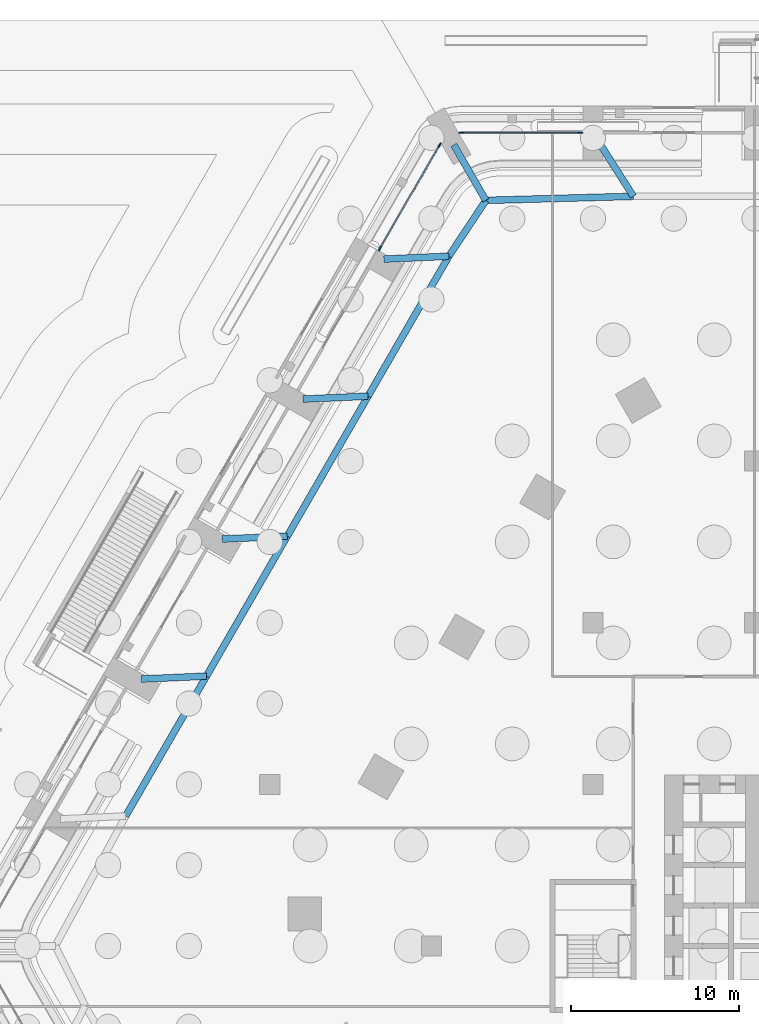
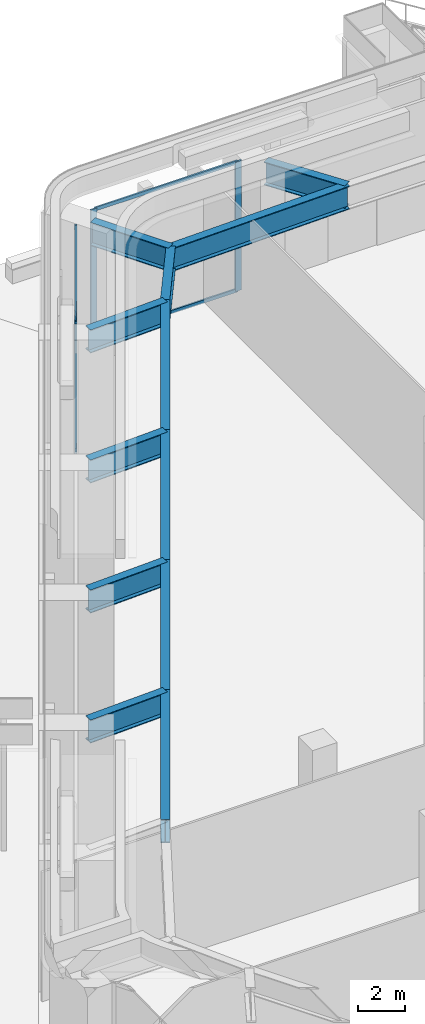
# One storey, part 7 of 68: 12 beams, 8 members, 2 elements without a shape of their own.
"""IFC4 building model written with IfcOpenShell, lengths in metres."""

from ifc_helpers import new_model, si_unit, direction, frame, origin, origin_2d, place, context, subcontext, project, spatial, rectangle, i_section, extrude, material, material_profile, profile_set, type_object, element, aggregate, save


model = new_model("IFC4")

# Units and contexts
model_context = context("Model", 3, precision=1e-05, world=origin(), true_north=direction((0.0, 1.0)))
body_context = subcontext(model_context, "Body", "Model", "MODEL_VIEW")
ifc_project = project(units=[si_unit("LENGTHUNIT", "METRE"), si_unit("AREAUNIT", "SQUARE_METRE"), si_unit("VOLUMEUNIT", "CUBIC_METRE"), si_unit("PLANEANGLEUNIT", "RADIAN"), si_unit("MASSUNIT", "GRAM", prefix="KILO")], contexts=[model_context])

# Site, building, storey
site_placement = place(None, origin())
site = spatial("IfcSite", under=ifc_project, at=site_placement, CompositionType="ELEMENT")
building_placement = place(site_placement, origin())
building = spatial("IfcBuilding", under=site, at=building_placement, Name="Kolab Exchange Tower", CompositionType="ELEMENT")
storey_placement = place(building_placement, origin())
storey = spatial("IfcBuildingStorey", under=building, at=storey_placement, Name="L00", CompositionType="ELEMENT", Elevation=0.0)

# Curtain wall, members
ifc_material_1 = material(Name="Aluminium EN AW-6063 T6", Category="aluminium")
curtain_wall_type = type_object("IfcCurtainWallType", Name="PODIUM STRUCTURAL GLAZING CURTAIN WALL", PredefinedType="NOTDEFINED", material=ifc_material_1)
curtain_wall_1_placement = place(storey_placement, origin())
curtain_wall_1 = element("IfcCurtainWall", 1, at=curtain_wall_1_placement, inside=storey, type_object=curtain_wall_type, Name="cw/L00/F1-1", PredefinedType="NOTDEFINED")
ifc_material_profile_1 = material_profile(ifc_material_1, rectangle(XDim=0.080078125, YDim=0.300048828125, at=origin_2d()), Name="RECT 80X300")
ifc_profile_set_1 = profile_set([ifc_material_profile_1], Name="Aluminium EN AW-6063 T6")
member_type_1 = type_object("IfcMemberType", Name="PODIUM STRUCTURAL GLAZING MULLION 80 X 300", PredefinedType="MULLION", material=ifc_profile_set_1)
member_1_placement = place(storey_placement, frame((-27.02783203125, 48.302978515625, 0.0), z_axis=(0.0, 0.0, 1.0), x_axis=(0.0, 1.0, 0.0)))
member_1 = element("IfcMember", 2, at=member_1_placement, type_object=member_type_1, Name="CW5 mullion 1", PredefinedType="MULLION", context=body_context, shape_type="SweptSolid", body=[
    extrude(rectangle(XDim=0.080078125, YDim=0.300048828125, at=origin_2d()), origin(), (0.0, 0.0, 1.0), 6.699951171875),
])
member_2_placement = place(storey_placement, frame((-19.949951171875, 48.302978515625, 0.0), z_axis=(0.0, 0.0, 1.0), x_axis=(0.0, 1.0, 0.0)))
member_2 = element("IfcMember", 3, at=member_2_placement, type_object=member_type_1, Name="CW5 mullion 2", PredefinedType="MULLION", context=body_context, shape_type="SweptSolid", body=[
    extrude(rectangle(XDim=0.080078125, YDim=0.300048828125, at=origin_2d()), origin(), (0.0, 0.0, 1.0), 6.699951171875),
])

curtain_wall_2_placement = place(storey_placement, origin())
curtain_wall_2 = element("IfcCurtainWall", 4, at=curtain_wall_2_placement, inside=storey, type_object=curtain_wall_type, Name="cw/L00/F6-2", PredefinedType="NOTDEFINED")
member_3_placement = place(storey_placement, frame((-31.856689453125, 41.4287109375, 0.0), z_axis=(0.0, 0.0, 1.0), x_axis=(-0.866025384961, 0.500000032603, 0.0)))
member_3 = element("IfcMember", 5, at=member_3_placement, type_object=member_type_1, Name="CW5 mullion 1", PredefinedType="MULLION", context=body_context, shape_type="SweptSolid", body=[
    extrude(rectangle(XDim=0.080078125, YDim=0.300048828125, at=origin_2d()), origin(), (0.0, 0.0, 1.0), 6.699951171875),
])
member_4_placement = place(storey_placement, frame((-28.317626953125, 47.558349609375, 0.0), z_axis=(0.0, 0.0, 1.0), x_axis=(-0.866025384961, 0.500000032603, 0.0)))
member_4 = element("IfcMember", 6, at=member_4_placement, type_object=member_type_1, Name="CW5 mullion 2", PredefinedType="MULLION", context=body_context, shape_type="SweptSolid", body=[
    extrude(rectangle(XDim=0.080078125, YDim=0.300048828125, at=origin_2d()), origin(), (0.0, 0.0, 1.0), 6.699951171875),
])

# Member
ifc_material_profile_2 = material_profile(ifc_material_1, rectangle(XDim=0.080078125, YDim=0.179931640625, at=origin_2d()), Name="RECT 80X180")
ifc_profile_set_2 = profile_set([ifc_material_profile_2], Name="Aluminium EN AW-6063 T6")
member_type_2 = type_object("IfcMemberType", Name="PODIUM STRUCTURAL GLAZING TRANSOM 80 X 180", PredefinedType="USERDEFINED", material=ifc_profile_set_2)
member_5_placement = place(storey_placement, frame((-26.988037109375, 48.302978515625, 0.0400390625), z_axis=(1.0, 0.0, 0.0), x_axis=(0.0, 1.0, 0.0)))
member_5 = element("IfcMember", 7, at=member_5_placement, type_object=member_type_2, Name="CW5 transom 1.1", ObjectType="TRANSOM", PredefinedType="USERDEFINED", context=body_context, shape_type="SweptSolid", body=[
    extrude(rectangle(XDim=0.080078125, YDim=0.179931640625, at=origin_2d()), origin(), (0.0, 0.0, 1.0), 6.998046875),
])

member_6_placement = place(storey_placement, frame((-26.988037109375, 48.302978515625, 6.659912109375), z_axis=(1.0, 0.0, 0.0), x_axis=(0.0, 1.0, 0.0)))
member_6 = element("IfcMember", 8, at=member_6_placement, type_object=member_type_2, Name="CW5 transom 1.2", ObjectType="TRANSOM", PredefinedType="USERDEFINED", context=body_context, shape_type="SweptSolid", body=[
    extrude(rectangle(XDim=0.080078125, YDim=0.179931640625, at=origin_2d()), origin(), (0.0, 0.0, 1.0), 6.998046875),
])

aggregate(curtain_wall_1, [member_1, member_2, member_5, member_6])

member_7_placement = place(storey_placement, frame((-31.836669921875, 41.46337890625, 0.0400390625), z_axis=(0.500011362933, 0.866018843293, 0.0), x_axis=(-0.866018843293, 0.500011362933, 0.0)))
member_7 = element("IfcMember", 9, at=member_7_placement, type_object=member_type_2, Name="CW5 transom 1.1", ObjectType="TRANSOM", PredefinedType="USERDEFINED", context=body_context, shape_type="SweptSolid", body=[
    extrude(rectangle(XDim=0.080078125, YDim=0.179931640625, at=origin_2d()), origin(), (0.0, 0.0, 1.0), 6.997802734375),
])

member_8_placement = place(storey_placement, frame((-31.836669921875, 41.46337890625, 6.659912109375), z_axis=(0.500011362933, 0.866018843293, 0.0), x_axis=(-0.866018843293, 0.500011362933, 0.0)))
member_8 = element("IfcMember", 10, at=member_8_placement, type_object=member_type_2, Name="CW5 transom 1.2", ObjectType="TRANSOM", PredefinedType="USERDEFINED", context=body_context, shape_type="SweptSolid", body=[
    extrude(rectangle(XDim=0.080078125, YDim=0.179931640625, at=origin_2d()), origin(), (0.0, 0.0, 1.0), 6.997802734375),
])

aggregate(curtain_wall_2, [member_3, member_4, member_7, member_8])

# Beams
ifc_material_2 = material(Name="Steel S355", Category="steel")
ifc_material_profile_3 = material_profile(ifc_material_2, i_section(OverallWidth=0.39990234375, OverallDepth=1.199951171875, WebThickness=0.02490234375, FlangeThickness=0.0400390625, at=origin_2d()), Name="PG1200X400")
ifc_profile_set_3 = profile_set([ifc_material_profile_3], Name="Steel S355")
beam_type = type_object("IfcBeamType", Name="TRANSFER GIRDER PG1200X400", PredefinedType="BEAM", material=ifc_profile_set_3)
beam_1_placement = place(storey_placement, frame((-25.56787109375, 44.284912109375, 6.10009765625), z_axis=(-0.500005339912, 0.866022320763, 0.0), x_axis=(-0.866022320763, -0.500005339912, 0.0)))
element("IfcBeam", 11, at=beam_1_placement, inside=storey, type_object=beam_type, Name="beam/L00/tg/P1-F1-01", PredefinedType="BEAM", context=body_context, shape_type="SweptSolid", body=[
    extrude(i_section(OverallWidth=0.39990234375, OverallDepth=1.199951171875, WebThickness=0.02490234375, FlangeThickness=0.0400390625, at=origin_2d()), origin(), (0.0, 0.0, 1.0), 3.81005859375),
])
beam_2_placement = place(storey_placement, frame((-16.800048828125, 44.526123046875, 6.10009765625), z_axis=(-0.538324533078, 0.842737620548, 0.0), x_axis=(-0.842737620548, -0.538324533078, 0.0)))
element("IfcBeam", 12, at=beam_2_placement, inside=storey, type_object=beam_type, Name="beam/L00/tg/P1-F1-03", PredefinedType="BEAM", context=body_context, shape_type="SweptSolid", body=[
    extrude(i_section(OverallWidth=0.39990234375, OverallDepth=1.199951171875, WebThickness=0.02490234375, FlangeThickness=0.0400390625, at=origin_2d()), origin(), (0.0, 0.0, 1.0), 3.8681640625),
])
beam_3_placement = place(storey_placement, frame((-42.160888671875, 16.027587890625, 6.10009765625), z_axis=(-0.998995304141, -0.044814978577, 0.0), x_axis=(0.044814978577, -0.998995304141, 0.0)))
element("IfcBeam", 13, at=beam_3_placement, inside=storey, type_object=beam_type, Name="beam/L00/tg/P1-F6-05", PredefinedType="BEAM", context=body_context, shape_type="SweptSolid", body=[
    extrude(i_section(OverallWidth=0.39990234375, OverallDepth=1.199951171875, WebThickness=0.02490234375, FlangeThickness=0.0400390625, at=origin_2d()), origin(), (0.0, 0.0, 1.0), 3.867919921875),
])
for number, where, z_axis, x_axis, name in (
    (14, (-37.36083984375, 24.341552734375, 6.10009765625), (-0.99899260341, -0.044875141586, 0.0), (0.044875141586, -0.99899260341, 0.0), "beam/L00/tg/P1-F6-07"),
    (15, (-32.560791015625, 32.655517578125, 6.10009765625), (-0.998989771967, -0.044938129747, 0.0), (0.044938129747, -0.998989771967, 0.0), "beam/L00/tg/P1-F6-09"),
    (16, (-27.7607421875, 40.96923828125, 6.10009765625), (-0.99899260341, -0.044875141586, 0.0), (0.044875141586, -0.99899260341, 0.0), "beam/L00/tg/P1-F6-11"),
):
    element("IfcBeam", number, at=place(storey_placement, frame(where, z_axis=z_axis, x_axis=x_axis)), inside=storey, type_object=beam_type, Name=name, PredefinedType="BEAM", context=body_context, shape_type="SweptSolid", body=[
        extrude(i_section(OverallWidth=0.39990234375, OverallDepth=1.199951171875, WebThickness=0.02490234375, FlangeThickness=0.0400390625, at=origin_2d()), origin(), (0.0, 0.0, 1.0), 3.8681640625),
    ])
beam_4_placement = place(storey_placement, frame((-25.56787109375, 44.284912109375, 6.10009765625), z_axis=(0.999621789061, 0.027500524256, 0.0), x_axis=(-0.027500524256, 0.999621789061, 0.0)))
element("IfcBeam", 17, at=beam_4_placement, inside=storey, type_object=beam_type, Name="beam/L00/rg/P1-F1-01", PredefinedType="BEAM", context=body_context, shape_type="SweptSolid", body=[
    extrude(i_section(OverallWidth=0.39990234375, OverallDepth=1.199951171875, WebThickness=0.02490234375, FlangeThickness=0.0400390625, at=origin_2d()), origin(), (0.0, 0.0, 1.0), 8.771240234375),
])
beam_5_placement = place(storey_placement, frame((-46.960693359375, 7.7138671875, 6.10009765625), z_axis=(0.499990296761, 0.86603100588, 0.0), x_axis=(-0.86603100588, 0.499990296761, 0.0)))
element("IfcBeam", 18, at=beam_5_placement, inside=storey, type_object=beam_type, Name="beam/L00/rg/P1-F6-03", PredefinedType="BEAM", context=body_context, shape_type="SweptSolid", body=[
    extrude(i_section(OverallWidth=0.39990234375, OverallDepth=1.199951171875, WebThickness=0.02490234375, FlangeThickness=0.0400390625, at=origin_2d()), origin(), (0.0, 0.0, 1.0), 9.599853515625),
])
for number, where, z_axis, x_axis, name in (
    (19, (-42.160888671875, 16.027587890625, 6.10009765625), (0.499998358424, 0.866026351547, 0.0), (-0.866026351547, 0.499998358424, 0.0), "beam/L00/rg/P1-F6-05"),
    (20, (-37.36083984375, 24.341552734375, 6.10009765625), (0.499998358424, 0.866026351547, 0.0), (-0.866026351547, 0.499998358424, 0.0), "beam/L00/rg/P1-F6-07"),
):
    element("IfcBeam", number, at=place(storey_placement, frame(where, z_axis=z_axis, x_axis=x_axis)), inside=storey, type_object=beam_type, Name=name, PredefinedType="BEAM", context=body_context, shape_type="SweptSolid", body=[
        extrude(i_section(OverallWidth=0.39990234375, OverallDepth=1.199951171875, WebThickness=0.02490234375, FlangeThickness=0.0400390625, at=origin_2d()), origin(), (0.0, 0.0, 1.0), 9.60009765625),
    ])
beam_6_placement = place(storey_placement, frame((-32.560791015625, 32.655517578125, 6.10009765625), z_axis=(0.500009370536, 0.866019993635, 0.0), x_axis=(-0.866019993635, 0.500009370536, 0.0)))
element("IfcBeam", 21, at=beam_6_placement, inside=storey, type_object=beam_type, Name="beam/L00/rg/P1-F6-09", PredefinedType="BEAM", context=body_context, shape_type="SweptSolid", body=[
    extrude(i_section(OverallWidth=0.39990234375, OverallDepth=1.199951171875, WebThickness=0.02490234375, FlangeThickness=0.0400390625, at=origin_2d()), origin(), (0.0, 0.0, 1.0), 9.599853515625),
])
beam_7_placement = place(storey_placement, frame((-27.7607421875, 40.96923828125, 6.10009765625), z_axis=(0.551635109229, 0.834085550928, 0.0), x_axis=(-0.834085550928, 0.551635109229, 0.0)))
element("IfcBeam", 22, at=beam_7_placement, inside=storey, type_object=beam_type, Name="beam/L00/rg/P1-F6-11", PredefinedType="BEAM", context=body_context, shape_type="SweptSolid", body=[
    extrude(i_section(OverallWidth=0.39990234375, OverallDepth=1.199951171875, WebThickness=0.02490234375, FlangeThickness=0.0400390625, at=origin_2d()), origin(), (0.0, 0.0, 1.0), 3.975341796875),
])

save(model, "model.ifc")
